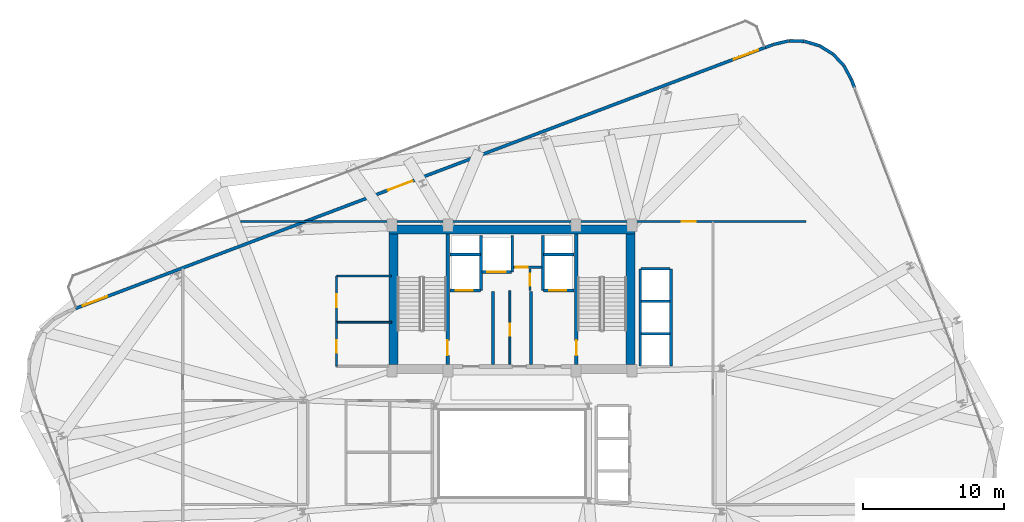
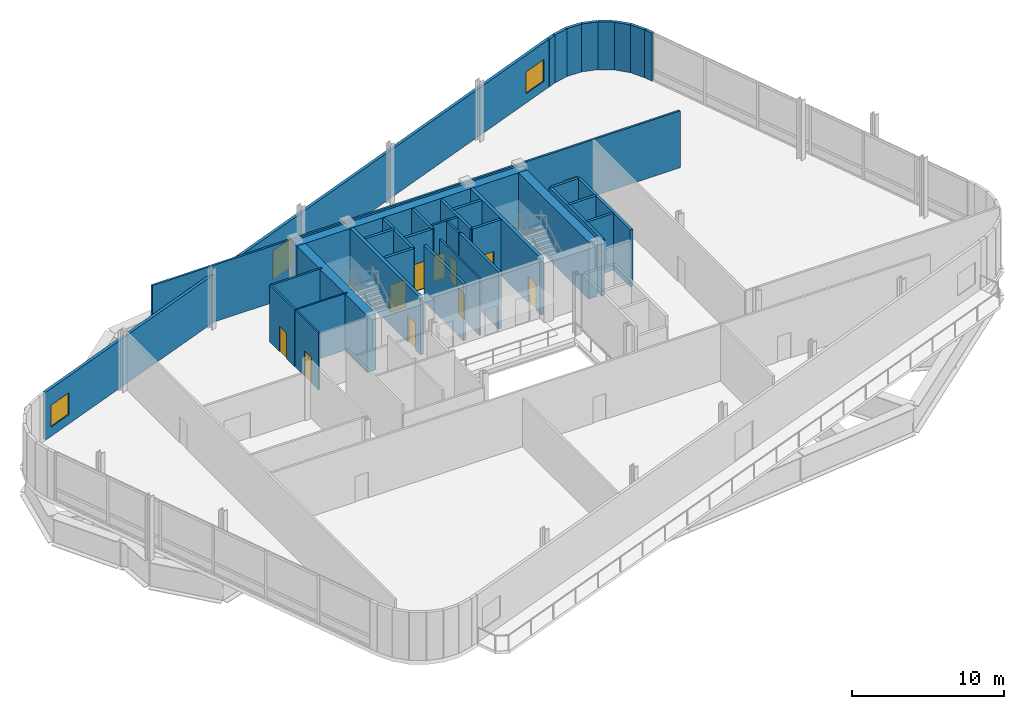
# One storey, part 14 of 19: 37 walls, 12 doors, 2 windows, 14 openings.
"""IFC4 building model written with IfcOpenShell, lengths in metres."""

from ifc_helpers import new_model, si_unit, direction, frame, frame_2d, origin, place, context, subcontext, project, spatial, rectangle, extrude, material, layer, layer_set, type_object, element, fill, save


model = new_model("IFC4")

# Units and contexts
model_context = context("Model", 3, precision=1e-05, world=origin(), true_north=direction((0.0, 1.0)))
body_context = subcontext(model_context, "Body", "Model", "MODEL_VIEW")
ifc_project = project(units=[si_unit("LENGTHUNIT", "METRE"), si_unit("AREAUNIT", "SQUARE_METRE"), si_unit("VOLUMEUNIT", "CUBIC_METRE"), si_unit("PLANEANGLEUNIT", "RADIAN"), si_unit("MASSUNIT", "GRAM", prefix="KILO")], contexts=[model_context])

# Site, building, storey
site_placement = place(None, origin())
site = spatial("IfcSite", under=ifc_project, at=site_placement, CompositionType="ELEMENT")
building_placement = place(site_placement, origin())
building = spatial("IfcBuilding", under=site, at=building_placement, Name="Varnelok Gate Tower", CompositionType="ELEMENT")
storey_placement = place(building_placement, frame((0.0, 0.0, 207.89990234375)))
storey = spatial("IfcBuildingStorey", under=building, at=storey_placement, Name="L53", CompositionType="ELEMENT", Elevation=207.89990234375)

# Wall, openings, door, windows
ifc_material_1 = material(Name="Concrete C45/55", Category="concrete")
ifc_layer_1 = layer(ifc_material_1, 0.219970703125)
ifc_layer_set_1 = layer_set([ifc_layer_1], Name="Concrete C45/55")
wall_type_1 = type_object("IfcWallType", Name="EW-BALC-220", PredefinedType="SOLIDWALL", material=ifc_layer_set_1)
wall_1_placement = place(storey_placement, frame((8.31494140625, 33.164306640625, 0.0), z_axis=(0.0, 0.0, 1.0), x_axis=(0.935222646765, 0.354060165759, 0.0)))
wall_1 = element("IfcWall", 1, at=wall_1_placement, inside=storey, type_object=wall_type_1, Name="L53 North Terrace Envelope Wall 2", PredefinedType="SOLIDWALL", context=body_context, shape_type="SweptSolid", body=[
    extrude(rectangle(XDim=52.199951171875, YDim=0.219970703125, at=frame_2d((26.10009765625, 0.0))), origin(), (0.0, 0.0, 1.0), 3.830078125),
])
opening_1_placement = place(wall_1_placement, frame((23.640380859375, 0.0, 0.0)))
opening_1 = element("IfcOpeningElement", 2, at=opening_1_placement, cuts=wall_1, Name="Opening SGD-1", PredefinedType="OPENING", context=body_context, shape_type="SweptSolid", body=[
    extrude(rectangle(XDim=1.85009765625, YDim=2.300048828125, at=frame_2d((0.925048828125, 1.14990234375))), frame((0.0, 0.119873046875, 0.0), z_axis=(0.0, -1.0, 0.0), x_axis=(1.0, 0.0, 0.0)), (0.0, 0.0, 1.0), 0.239990234375),
])
opening_2_placement = place(wall_1_placement, frame((0.550048828125, 0.0, 0.75)))
opening_2 = element("IfcOpeningElement", 3, at=opening_2_placement, cuts=wall_1, Name="Opening WN5", PredefinedType="OPENING", context=body_context, shape_type="SweptSolid", body=[
    extrude(rectangle(XDim=1.85009765625, YDim=1.75, at=frame_2d((0.925048828125, 0.875))), frame((0.0, 0.119873046875, 0.0), z_axis=(0.0, -1.0, 0.0), x_axis=(1.0, 0.0, 0.0)), (0.0, 0.0, 1.0), 0.239990234375),
])
opening_3_placement = place(wall_1_placement, frame((49.800048828125, 0.0, 0.75)))
opening_3 = element("IfcOpeningElement", 4, at=opening_3_placement, cuts=wall_1, Name="Opening WN5", PredefinedType="OPENING", context=body_context, shape_type="SweptSolid", body=[
    extrude(rectangle(XDim=1.85009765625, YDim=1.75, at=frame_2d((0.925048828125, 0.875))), frame((0.0, 0.119873046875, 0.0), z_axis=(0.0, -1.0, 0.0), x_axis=(1.0, 0.0, 0.0)), (0.0, 0.0, 1.0), 0.239990234375),
])
ifc_material_2 = material(Name="Anodized Aluminum Alloy 6063-T6", Category="aluminium")
door_type_1 = type_object("IfcDoorType", Name="DR-EXT-SKYG1850", OperationType="DOUBLE_DOOR_SINGLE_SWING", PredefinedType="DOOR", material=ifc_material_2)
door_1_placement = place(opening_1_placement, origin())
door_1 = element("IfcDoor", 5, at=door_1_placement, inside=storey, type_object=door_type_1, Name="L53 North Sky Garden Glazed Door 2", OperationType="DOUBLE_DOOR_SINGLE_SWING", OverallHeight=2.300048828125, OverallWidth=1.85009765625, PredefinedType="DOOR", context=body_context, shape_type="SweptSolid", body=[
    extrude(rectangle(XDim=1.85009765625, YDim=2.300048828125, at=frame_2d((0.925048828125, 1.14990234375))), frame((0.0, 0.02490234375, 0.0), z_axis=(0.0, -1.0, 0.0), x_axis=(1.0, 0.0, 0.0)), (0.0, 0.0, 1.0), 0.050048828125),
])
fill(opening_1, door_1)
ifc_material_3 = material(Name="Low-E Laminated Double Glazing IGU", Category="glass")
window_type = type_object("IfcWindowType", Name="WN-RES-1850", PartitioningType="SINGLE_PANEL", PredefinedType="WINDOW", material=ifc_material_3)
window_1_placement = place(opening_2_placement, origin())
window_1 = element("IfcWindow", 6, at=window_1_placement, inside=storey, type_object=window_type, Name="L53 North Vision Window 2.1", OverallHeight=1.75, OverallWidth=1.85009765625, PartitioningType="SINGLE_PANEL", PredefinedType="WINDOW", context=body_context, shape_type="SweptSolid", body=[
    extrude(rectangle(XDim=1.85009765625, YDim=1.75, at=frame_2d((0.925048828125, 0.875))), frame((0.0, 0.030029296875, 0.0), z_axis=(0.0, -1.0, 0.0), x_axis=(1.0, 0.0, 0.0)), (0.0, 0.0, 1.0), 0.06005859375),
])
fill(opening_2, window_1)
window_2_placement = place(opening_3_placement, origin())
window_2 = element("IfcWindow", 7, at=window_2_placement, inside=storey, type_object=window_type, Name="L53 North Vision Window 2.2", OverallHeight=1.75, OverallWidth=1.85009765625, PartitioningType="SINGLE_PANEL", PredefinedType="WINDOW", context=body_context, shape_type="SweptSolid", body=[
    extrude(rectangle(XDim=1.85009765625, YDim=1.75, at=frame_2d((0.925048828125, 0.875))), frame((0.0, 0.030029296875, 0.0), z_axis=(0.0, -1.0, 0.0), x_axis=(1.0, 0.0, 0.0)), (0.0, 0.0, 1.0), 0.06005859375),
])
fill(opening_3, window_2)

# Walls
wall_2_placement = place(storey_placement, frame((63.432373046875, 48.79150390625, 0.0), z_axis=(0.0, 0.0, 1.0), x_axis=(-0.354409739857, 0.935090228959, 0.0)))
element("IfcWall", 8, at=wall_2_placement, inside=storey, type_object=wall_type_1, Name="L53 Perimeter Facade Closure Wall 16", PredefinedType="SOLIDWALL", context=body_context, shape_type="SweptSolid", body=[
    extrude(rectangle(XDim=0.60205078125, YDim=0.219970703125, at=frame_2d((0.301025390625, 0.0))), origin(), (0.0, 0.0, 1.0), 3.830078125),
])
wall_3_placement = place(storey_placement, frame((63.207275390625, 49.376708984375, 0.0), z_axis=(0.0, 0.0, 1.0), x_axis=(-0.473040490473, 0.881040688262, 0.0)))
element("IfcWall", 9, at=wall_3_placement, inside=storey, type_object=wall_type_1, Name="L53 Perimeter Facade Closure Wall 17", PredefinedType="SOLIDWALL", context=body_context, shape_type="SweptSolid", body=[
    extrude(rectangle(XDim=1.099853515625, YDim=0.219970703125, at=frame_2d((0.5498046875, 0.0))), origin(), (0.0, 0.0, 1.0), 3.830078125),
])
wall_4_placement = place(storey_placement, frame((62.669677734375, 50.364013671875, 0.0), z_axis=(0.0, 0.0, 1.0), x_axis=(-0.685085671623, 0.728462505923, 0.0)))
element("IfcWall", 10, at=wall_4_placement, inside=storey, type_object=wall_type_1, Name="L53 Perimeter Facade Closure Wall 18", PredefinedType="SOLIDWALL", context=body_context, shape_type="SweptSolid", body=[
    extrude(rectangle(XDim=1.091796875, YDim=0.219970703125, at=frame_2d((0.5458984375, 0.0))), origin(), (0.0, 0.0, 1.0), 3.830078125),
])
for number, where, z_axis, x_axis, name in (
    (11, (61.900390625, 51.172607421875, 0.0), (0.0, 0.0, 1.0), (-0.850188908352, 0.526477748927, 0.0), "L53 Perimeter Facade Closure Wall 19"),
    (12, (60.947998046875, 51.7548828125, 0.0), (0.0, 0.0, 1.0), (-0.957573624479, 0.288188746662, 0.0), "L53 Perimeter Facade Closure Wall 20"),
    (13, (59.87744140625, 52.070556640625, 0.0), (0.0, 0.0, 1.0), (-0.999523998125, 0.030850886097, 0.0), "L53 Perimeter Facade Closure Wall 21"),
):
    element("IfcWall", number, at=place(storey_placement, frame(where, z_axis=z_axis, x_axis=x_axis)), inside=storey, type_object=wall_type_1, Name=name, PredefinedType="SOLIDWALL", context=body_context, shape_type="SweptSolid", body=[
        extrude(rectangle(XDim=1.092041015625, YDim=0.219970703125, at=frame_2d((0.5458984375, 0.0))), origin(), (0.0, 0.0, 1.0), 3.830078125),
    ])
wall_5_placement = place(storey_placement, frame((58.76171875, 52.098388671875, 0.0), z_axis=(0.0, 0.0, 1.0), x_axis=(-0.973417168334, -0.229039333726, 0.0)))
element("IfcWall", 14, at=wall_5_placement, inside=storey, type_object=wall_type_1, Name="L53 Perimeter Facade Closure Wall 22", PredefinedType="SOLIDWALL", context=body_context, shape_type="SweptSolid", body=[
    extrude(rectangle(XDim=1.10009765625, YDim=0.219970703125, at=frame_2d((0.550048828125, 0.0))), origin(), (0.0, 0.0, 1.0), 3.830078125),
])
wall_6_placement = place(storey_placement, frame((57.66748046875, 51.837646484375, 0.0), z_axis=(0.0, 0.0, 1.0), x_axis=(-0.935174564531, -0.354187145241, 0.0)))
element("IfcWall", 15, at=wall_6_placement, inside=storey, type_object=wall_type_1, Name="L53 Perimeter Facade Closure Wall 23", PredefinedType="SOLIDWALL", context=body_context, shape_type="SweptSolid", body=[
    extrude(rectangle(XDim=0.5673828125, YDim=0.219970703125, at=frame_2d((0.28369140625, 0.0))), origin(), (0.0, 0.0, 1.0), 3.830078125),
])
ifc_material_4 = material(Name="Gypsum Plasterboard Acoustic Partition", Category="gypsum")
ifc_layer_2 = layer(ifc_material_4, 0.114990234375)
ifc_layer_set_2 = layer_set([ifc_layer_2], Name="Gypsum Plasterboard Acoustic Partition")
wall_type_2 = type_object("IfcWallType", Name="PW-ENS-125", PredefinedType="PARTITIONING", material=ifc_layer_set_2)
wall_7_placement = place(storey_placement, frame((26.800048828125, 32.18994140625, 0.0), z_axis=(0.0, 0.0, 1.0), x_axis=(1.0, 0.0, 0.0)))
element("IfcWall", 16, at=wall_7_placement, inside=storey, type_object=wall_type_2, Name="Interior Partition", PredefinedType="PARTITIONING", context=body_context, shape_type="SweptSolid", body=[
    extrude(rectangle(XDim=3.8798828125, YDim=0.114990234375, at=frame_2d((1.93994140625, 0.0))), origin(), (0.0, 0.0, 1.0), 4.550048828125),
])

# Wall, opening, door
wall_8_placement = place(storey_placement, frame((26.780029296875, 29.080078125, 0.0), z_axis=(0.0, 0.0, 1.0), x_axis=(0.0, 1.0, 0.0)))
wall_8 = element("IfcWall", 17, at=wall_8_placement, inside=storey, type_object=wall_type_2, Name="Interior Partition", PredefinedType="PARTITIONING", context=body_context, shape_type="SweptSolid", body=[
    extrude(rectangle(XDim=3.10986328125, YDim=0.114990234375, at=frame_2d((1.554931640625, 0.0))), origin(), (0.0, 0.0, 1.0), 4.550048828125),
])
opening_4_placement = place(wall_8_placement, frame((0.949951171875, 0.0, 0.0)))
opening_4 = element("IfcOpeningElement", 18, at=opening_4_placement, cuts=wall_8, Name="Opening D-WC", PredefinedType="OPENING", context=body_context, shape_type="SweptSolid", body=[
    extrude(rectangle(XDim=0.89990234375, YDim=2.050048828125, at=frame_2d((0.449951171875, 1.02490234375))), frame((0.0, 0.0673828125, 0.0), z_axis=(0.0, -1.0, 0.0), x_axis=(1.0, 0.0, 0.0)), (0.0, 0.0, 1.0), 0.135009765625),
])
ifc_material_5 = material(Name="Engineered Hardwood Timber", Category="wood")
door_type_2 = type_object("IfcDoorType", Name="DR-BATH-900", OperationType="NOTDEFINED", PredefinedType="DOOR", material=ifc_material_5)
door_2_placement = place(opening_4_placement, origin())
door_2 = element("IfcDoor", 19, at=door_2_placement, inside=storey, type_object=door_type_2, Name="L53 Core Floor WC Door", OperationType="SINGLE_SWING_LEFT", OverallHeight=2.050048828125, OverallWidth=0.89990234375, PredefinedType="DOOR", context=body_context, shape_type="SweptSolid", body=[
    extrude(rectangle(XDim=0.89990234375, YDim=2.050048828125, at=frame_2d((0.449951171875, 1.02490234375))), frame((0.0, 0.02490234375, 0.0), z_axis=(0.0, -1.0, 0.0), x_axis=(1.0, 0.0, 0.0)), (0.0, 0.0, 1.0), 0.050048828125),
])
fill(opening_4, door_2)

ifc_layer_3 = layer(ifc_material_4, 0.125)
ifc_layer_set_3 = layer_set([ifc_layer_3], Name="Gypsum Plasterboard Acoustic Partition")
wall_type_3 = type_object("IfcWallType", Name="PW-PART-125", PredefinedType="PARTITIONING", material=ifc_layer_set_3)
wall_9_placement = place(storey_placement, frame((39.050048828125, 29.199951171875, 0.0), z_axis=(0.0, 0.0, 1.0), x_axis=(0.0, 1.0, 0.0)))
wall_9 = element("IfcWall", 20, at=wall_9_placement, inside=storey, type_object=wall_type_3, Name="Interior Partition", PredefinedType="PARTITIONING", context=body_context, shape_type="SweptSolid", body=[
    extrude(rectangle(XDim=5.219970703125, YDim=0.125, at=frame_2d((2.60986328125, 0.0))), origin(), (0.0, 0.0, 1.0), 4.550048828125),
])
opening_5_placement = place(wall_9_placement, frame((2.050048828125, 0.0, 0.0)))
opening_5 = element("IfcOpeningElement", 21, at=opening_5_placement, cuts=wall_9, Name="Opening D-RS", PredefinedType="OPENING", context=body_context, shape_type="SweptSolid", body=[
    extrude(rectangle(XDim=0.85009765625, YDim=2.050048828125, at=frame_2d((0.425048828125, 1.02490234375))), frame((0.0, 0.072509765625, 0.0), z_axis=(0.0, -1.0, 0.0), x_axis=(1.0, 0.0, 0.0)), (0.0, 0.0, 1.0), 0.14501953125),
])
ifc_material_6 = material(Name="Galvanized Steel Grade S350GD", Category="steel")
door_type_3 = type_object("IfcDoorType", Name="DR-RISER-850", OperationType="NOTDEFINED", PredefinedType="DOOR", material=ifc_material_6)
door_3_placement = place(opening_5_placement, origin())
door_3 = element("IfcDoor", 22, at=door_3_placement, inside=storey, type_object=door_type_3, Name="L53 Housekeeping Linen Door", OperationType="SINGLE_SWING_LEFT", OverallHeight=2.050048828125, OverallWidth=0.85009765625, PredefinedType="DOOR", context=body_context, shape_type="SweptSolid", body=[
    extrude(rectangle(XDim=0.85009765625, YDim=2.050048828125, at=frame_2d((0.425048828125, 1.02490234375))), frame((0.0, 0.02490234375, 0.0), z_axis=(0.0, -1.0, 0.0), x_axis=(1.0, 0.0, 0.0)), (0.0, 0.0, 1.0), 0.050048828125),
])
fill(opening_5, door_3)

ifc_layer_4 = layer(ifc_material_4, 0.14990234375)
ifc_layer_set_4 = layer_set([ifc_layer_4], Name="Gypsum Plasterboard Acoustic Partition")
wall_type_4 = type_object("IfcWallType", Name="PW-PART-150", PredefinedType="PARTITIONING", material=ifc_layer_set_4)
wall_10_placement = place(storey_placement, frame((20.0, 39.320068359375, 0.0), z_axis=(0.0, 0.0, 1.0), x_axis=(1.0, 0.0, 0.0)))
wall_10 = element("IfcWall", 23, at=wall_10_placement, inside=storey, type_object=wall_type_4, Name="Interior Partition", PredefinedType="PARTITIONING", context=body_context, shape_type="SweptSolid", body=[
    extrude(rectangle(XDim=40.0, YDim=0.14990234375, at=frame_2d((20.0, 0.0))), origin(), (0.0, 0.0, 1.0), 4.550048828125),
])
opening_6_placement = place(wall_10_placement, frame((31.199951171875, 0.0, 0.0)))
opening_6 = element("IfcOpeningElement", 24, at=opening_6_placement, cuts=wall_10, Name="Opening D-I1", PredefinedType="OPENING", context=body_context, shape_type="SweptSolid", body=[
    extrude(rectangle(XDim=1.0, YDim=2.050048828125, at=frame_2d((0.5, 1.02490234375))), frame((0.0, 0.0849609375, 0.0), z_axis=(0.0, -1.0, 0.0), x_axis=(1.0, 0.0, 0.0)), (0.0, 0.0, 1.0), 0.169921875),
])
door_type_4 = type_object("IfcDoorType", Name="DR-INT-1000", OperationType="NOTDEFINED", PredefinedType="DOOR", material=ifc_material_5)
door_4_placement = place(opening_6_placement, origin())
door_4 = element("IfcDoor", 25, at=door_4_placement, inside=storey, type_object=door_type_4, Name="L53 North Sky Garden Lounge Door", OperationType="SINGLE_SWING_RIGHT", OverallHeight=2.050048828125, OverallWidth=1.0, PredefinedType="DOOR", context=body_context, shape_type="SweptSolid", body=[
    extrude(rectangle(XDim=1.0, YDim=2.050048828125, at=frame_2d((0.5, 1.02490234375))), frame((0.0, 0.02490234375, 0.0), z_axis=(0.0, -1.0, 0.0), x_axis=(1.0, 0.0, 0.0)), (0.0, 0.0, 1.0), 0.050048828125),
])
fill(opening_6, door_4)

wall_11_placement = place(storey_placement, frame((39.300048828125, 36.080078125, 0.0), z_axis=(0.0, 0.0, 1.0), x_axis=(1.0, 0.0, 0.0)))
wall_11 = element("IfcWall", 26, at=wall_11_placement, inside=storey, type_object=wall_type_4, Name="L53 Electrical Closet South Wall", PredefinedType="PARTITIONING", context=body_context, shape_type="SweptSolid", body=[
    extrude(rectangle(XDim=2.02001953125, YDim=0.14990234375, at=frame_2d((1.010009765625, 0.0))), origin(), (0.0, 0.0, 1.0), 4.550048828125),
])
opening_7_placement = place(wall_11_placement, frame((0.179931640625, 0.0, 0.0)))
opening_7 = element("IfcOpeningElement", 27, at=opening_7_placement, cuts=wall_11, Name="Opening D-RS", PredefinedType="OPENING", context=body_context, shape_type="SweptSolid", body=[
    extrude(rectangle(XDim=0.85009765625, YDim=2.050048828125, at=frame_2d((0.425048828125, 1.02490234375))), frame((0.0, 0.0849609375, 0.0), z_axis=(0.0, -1.0, 0.0), x_axis=(1.0, 0.0, 0.0)), (0.0, 0.0, 1.0), 0.169921875),
])
door_5_placement = place(opening_7_placement, origin())
door_5 = element("IfcDoor", 28, at=door_5_placement, inside=storey, type_object=door_type_3, Name="L53 Electrical Closet Door", OperationType="SINGLE_SWING_RIGHT", OverallHeight=2.050048828125, OverallWidth=0.85009765625, PredefinedType="DOOR", context=body_context, shape_type="SweptSolid", body=[
    extrude(rectangle(XDim=0.85009765625, YDim=2.050048828125, at=frame_2d((0.425048828125, 1.02490234375))), frame((0.0, 0.02490234375, 0.0), z_axis=(0.0, -1.0, 0.0), x_axis=(1.0, 0.0, 0.0)), (0.0, 0.0, 1.0), 0.050048828125),
])
fill(opening_7, door_5)

wall_12_placement = place(storey_placement, frame((40.47998046875, 34.43994140625, 0.0), z_axis=(0.0, 0.0, 1.0), x_axis=(0.0, 1.0, 0.0)))
wall_12 = element("IfcWall", 29, at=wall_12_placement, inside=storey, type_object=wall_type_4, Name="L53 Telecoms Closet West Wall", PredefinedType="PARTITIONING", context=body_context, shape_type="SweptSolid", body=[
    extrude(rectangle(XDim=1.52001953125, YDim=0.14990234375, at=frame_2d((0.760009765625, 0.0))), origin(), (0.0, 0.0, 1.0), 4.550048828125),
])
opening_8_placement = place(wall_12_placement, frame((0.320068359375, 0.0, 0.0)))
opening_8 = element("IfcOpeningElement", 30, at=opening_8_placement, cuts=wall_12, Name="Opening D-RS", PredefinedType="OPENING", context=body_context, shape_type="SweptSolid", body=[
    extrude(rectangle(XDim=0.85009765625, YDim=2.050048828125, at=frame_2d((0.425048828125, 1.02490234375))), frame((0.0, 0.0849609375, 0.0), z_axis=(0.0, -1.0, 0.0), x_axis=(1.0, 0.0, 0.0)), (0.0, 0.0, 1.0), 0.169921875),
])
door_6_placement = place(opening_8_placement, origin())
door_6 = element("IfcDoor", 31, at=door_6_placement, inside=storey, type_object=door_type_3, Name="L53 Telecoms Closet Door", OperationType="SINGLE_SWING_LEFT", OverallHeight=2.050048828125, OverallWidth=0.85009765625, PredefinedType="DOOR", context=body_context, shape_type="SweptSolid", body=[
    extrude(rectangle(XDim=0.85009765625, YDim=2.050048828125, at=frame_2d((0.425048828125, 1.02490234375))), frame((0.0, 0.02490234375, 0.0), z_axis=(0.0, -1.0, 0.0), x_axis=(1.0, 0.0, 0.0)), (0.0, 0.0, 1.0), 0.050048828125),
])
fill(opening_8, door_6)

# Wall
wall_13_placement = place(storey_placement, frame((26.780029296875, 35.4599609375, 0.0), z_axis=(0.0, 0.0, 1.0), x_axis=(1.0, 0.0, 0.0)))
element("IfcWall", 32, at=wall_13_placement, inside=storey, type_object=wall_type_4, Name="Interior Partition", PredefinedType="PARTITIONING", context=body_context, shape_type="SweptSolid", body=[
    extrude(rectangle(XDim=3.89990234375, YDim=0.14990234375, at=frame_2d((1.949951171875, 0.0))), origin(), (0.0, 0.0, 1.0), 4.550048828125),
])

# Wall, opening, door
wall_14_placement = place(storey_placement, frame((26.780029296875, 32.18994140625, 0.0), z_axis=(0.0, 0.0, 1.0), x_axis=(0.0, 1.0, 0.0)))
wall_14 = element("IfcWall", 33, at=wall_14_placement, inside=storey, type_object=wall_type_4, Name="Interior Partition", PredefinedType="PARTITIONING", context=body_context, shape_type="SweptSolid", body=[
    extrude(rectangle(XDim=3.27001953125, YDim=0.14990234375, at=frame_2d((1.635009765625, 0.0))), origin(), (0.0, 0.0, 1.0), 4.550048828125),
])
opening_9_placement = place(wall_14_placement, frame((1.050048828125, 0.0, 0.0)))
opening_9 = element("IfcOpeningElement", 34, at=opening_9_placement, cuts=wall_14, Name="Opening D-I3", PredefinedType="OPENING", context=body_context, shape_type="SweptSolid", body=[
    extrude(rectangle(XDim=0.919921875, YDim=2.050048828125, at=frame_2d((0.4599609375, 1.02490234375))), frame((0.0, 0.0849609375, 0.0), z_axis=(0.0, -1.0, 0.0), x_axis=(1.0, 0.0, 0.0)), (0.0, 0.0, 1.0), 0.169921875),
])
door_type_5 = type_object("IfcDoorType", Name="DR-INT-920", OperationType="NOTDEFINED", PredefinedType="DOOR", material=ifc_material_5)
door_7_placement = place(opening_9_placement, origin())
door_7 = element("IfcDoor", 35, at=door_7_placement, inside=storey, type_object=door_type_5, Name="L53 Core Pantry Door", OperationType="SINGLE_SWING_RIGHT", OverallHeight=2.050048828125, OverallWidth=0.919921875, PredefinedType="DOOR", context=body_context, shape_type="SweptSolid", body=[
    extrude(rectangle(XDim=0.919921875, YDim=2.050048828125, at=frame_2d((0.4599609375, 1.02490234375))), frame((0.0, 0.02490234375, 0.0), z_axis=(0.0, -1.0, 0.0), x_axis=(1.0, 0.0, 0.0)), (0.0, 0.0, 1.0), 0.050048828125),
])
fill(opening_9, door_7)

# Walls
ifc_material_7 = material(Name="Concrete C35/45", Category="concrete")
ifc_layer_5 = layer(ifc_material_7, 0.199951171875)
ifc_layer_set_5 = layer_set([ifc_layer_5], Name="Concrete C35/45")
wall_type_5 = type_object("IfcWallType", Name="PW-SHAFT-200", PredefinedType="PARTITIONING", material=ifc_layer_set_5)
for number, where, z_axis, x_axis, name in (
    (36, (37.860107421875, 29.199951171875, 0.0), (0.0, 0.0, 1.0), (0.0, 1.0, 0.0), "L53 West FF Lobby Rated Wall"),
    (37, (40.5400390625, 29.199951171875, 0.0), (0.0, 0.0, 1.0), (0.0, 1.0, 0.0), "L53 East FF Lobby Rated Wall"),
):
    element("IfcWall", number, at=place(storey_placement, frame(where, z_axis=z_axis, x_axis=x_axis)), inside=storey, type_object=wall_type_5, Name=name, PredefinedType="PARTITIONING", context=body_context, shape_type="SweptSolid", body=[
        extrude(rectangle(XDim=5.179931640625, YDim=0.199951171875, at=frame_2d((2.58984375, 0.0))), origin(), (0.0, 0.0, 1.0), 4.550048828125),
    ])

# Wall, opening, door
wall_15_placement = place(storey_placement, frame((34.800048828125, 34.43994140625, 0.0), z_axis=(0.0, 0.0, 1.0), x_axis=(1.0, 0.0, 0.0)))
wall_15 = element("IfcWall", 38, at=wall_15_placement, inside=storey, type_object=wall_type_5, Name="L53 FF1 Shaft Front Wall", PredefinedType="PARTITIONING", context=body_context, shape_type="SweptSolid", body=[
    extrude(rectangle(XDim=2.179931640625, YDim=0.199951171875, at=frame_2d((1.08984375, 0.0))), origin(), (0.0, 0.0, 1.0), 4.550048828125),
])
opening_10_placement = place(wall_15_placement, frame((0.419921875, 0.0, 0.0)))
opening_10 = element("IfcOpeningElement", 39, at=opening_10_placement, cuts=wall_15, Name="Opening LD-FF1", PredefinedType="OPENING", context=body_context, shape_type="SweptSolid", body=[
    extrude(rectangle(XDim=1.199951171875, YDim=2.199951171875, at=frame_2d((0.60009765625, 1.10009765625))), frame((0.0, 0.10986328125, 0.0), z_axis=(0.0, -1.0, 0.0), x_axis=(1.0, 0.0, 0.0)), (0.0, 0.0, 1.0), 0.219970703125),
])
door_type_6 = type_object("IfcDoorType", Name="DR-LIFT-FF1200", OperationType="SLIDING_TO_LEFT", PredefinedType="DOOR", material=ifc_material_6)
door_8_placement = place(opening_10_placement, origin())
door_8 = element("IfcDoor", 40, at=door_8_placement, inside=storey, type_object=door_type_6, Name="L53 Firefighting Lift Landing Door LD-FF1", OperationType="SLIDING_TO_LEFT", OverallHeight=2.199951171875, OverallWidth=1.199951171875, PredefinedType="DOOR", context=body_context, shape_type="SweptSolid", body=[
    extrude(rectangle(XDim=1.199951171875, YDim=2.199951171875, at=frame_2d((0.60009765625, 1.10009765625))), frame((0.0, 0.02490234375, 0.0), z_axis=(0.0, -1.0, 0.0), x_axis=(1.0, 0.0, 0.0)), (0.0, 0.0, 1.0), 0.050048828125),
])
fill(opening_10, door_8)

# Walls
wall_16_placement = place(storey_placement, frame((34.800048828125, 36.97998046875, 0.0), z_axis=(0.0, 0.0, 1.0), x_axis=(1.0, 0.0, 0.0)))
element("IfcWall", 41, at=wall_16_placement, inside=storey, type_object=wall_type_5, Name="L53 FF1 Shaft North Wall", PredefinedType="PARTITIONING", context=body_context, shape_type="SweptSolid", body=[
    extrude(rectangle(XDim=2.179931640625, YDim=0.199951171875, at=frame_2d((1.08984375, 0.0))), origin(), (0.0, 0.0, 1.0), 4.550048828125),
])
wall_17_placement = place(storey_placement, frame((37.0, 34.43994140625, 0.0), z_axis=(0.0, 0.0, 1.0), x_axis=(0.0, 1.0, 0.0)))
element("IfcWall", 42, at=wall_17_placement, inside=storey, type_object=wall_type_5, Name="L53 FF1 Shaft Side Wall", PredefinedType="PARTITIONING", context=body_context, shape_type="SweptSolid", body=[
    extrude(rectangle(XDim=3.900146484375, YDim=0.199951171875, at=frame_2d((1.9501953125, 0.0))), origin(), (0.0, 0.0, 1.0), 4.550048828125),
])

# Wall, opening, door
wall_18_placement = place(storey_placement, frame((41.419921875, 34.43994140625, 0.0), z_axis=(0.0, 0.0, 1.0), x_axis=(1.0, 0.0, 0.0)))
wall_18 = element("IfcWall", 43, at=wall_18_placement, inside=storey, type_object=wall_type_5, Name="L53 FF2 Shaft Front Wall", PredefinedType="PARTITIONING", context=body_context, shape_type="SweptSolid", body=[
    extrude(rectangle(XDim=2.18017578125, YDim=0.199951171875, at=frame_2d((1.090087890625, 0.0))), origin(), (0.0, 0.0, 1.0), 4.550048828125),
])
opening_11_placement = place(wall_18_placement, frame((0.419921875, 0.0, 0.0)))
opening_11 = element("IfcOpeningElement", 44, at=opening_11_placement, cuts=wall_18, Name="Opening LD-FF2", PredefinedType="OPENING", context=body_context, shape_type="SweptSolid", body=[
    extrude(rectangle(XDim=1.199951171875, YDim=2.199951171875, at=frame_2d((0.60009765625, 1.10009765625))), frame((0.0, 0.10986328125, 0.0), z_axis=(0.0, -1.0, 0.0), x_axis=(1.0, 0.0, 0.0)), (0.0, 0.0, 1.0), 0.219970703125),
])
door_9_placement = place(opening_11_placement, origin())
door_9 = element("IfcDoor", 45, at=door_9_placement, inside=storey, type_object=door_type_6, Name="L53 Firefighting Lift Landing Door LD-FF2", OperationType="SLIDING_TO_LEFT", OverallHeight=2.199951171875, OverallWidth=1.199951171875, PredefinedType="DOOR", context=body_context, shape_type="SweptSolid", body=[
    extrude(rectangle(XDim=1.199951171875, YDim=2.199951171875, at=frame_2d((0.60009765625, 1.10009765625))), frame((0.0, 0.02490234375, 0.0), z_axis=(0.0, -1.0, 0.0), x_axis=(1.0, 0.0, 0.0)), (0.0, 0.0, 1.0), 0.050048828125),
])
fill(opening_11, door_9)

# Walls
wall_19_placement = place(storey_placement, frame((41.419921875, 36.97998046875, 0.0), z_axis=(0.0, 0.0, 1.0), x_axis=(1.0, 0.0, 0.0)))
element("IfcWall", 46, at=wall_19_placement, inside=storey, type_object=wall_type_5, Name="L53 FF2 Shaft North Wall", PredefinedType="PARTITIONING", context=body_context, shape_type="SweptSolid", body=[
    extrude(rectangle(XDim=2.18017578125, YDim=0.199951171875, at=frame_2d((1.090087890625, 0.0))), origin(), (0.0, 0.0, 1.0), 4.550048828125),
])
wall_20_placement = place(storey_placement, frame((41.39990234375, 34.43994140625, 0.0), z_axis=(0.0, 0.0, 1.0), x_axis=(0.0, 1.0, 0.0)))
element("IfcWall", 47, at=wall_20_placement, inside=storey, type_object=wall_type_5, Name="L53 FF2 Shaft Side Wall", PredefinedType="PARTITIONING", context=body_context, shape_type="SweptSolid", body=[
    extrude(rectangle(XDim=3.900146484375, YDim=0.199951171875, at=frame_2d((1.9501953125, 0.0))), origin(), (0.0, 0.0, 1.0), 4.550048828125),
])

# Wall, opening, door
wall_21_placement = place(storey_placement, frame((37.06005859375, 35.75, 0.0), z_axis=(0.0, 0.0, 1.0), x_axis=(1.0, 0.0, 0.0)))
wall_21 = element("IfcWall", 48, at=wall_21_placement, inside=storey, type_object=wall_type_5, Name="L53 SV1 Shaft Front Wall", PredefinedType="PARTITIONING", context=body_context, shape_type="SweptSolid", body=[
    extrude(rectangle(XDim=2.119873046875, YDim=0.199951171875, at=frame_2d((1.06005859375, 0.0))), origin(), (0.0, 0.0, 1.0), 4.550048828125),
])
opening_12_placement = place(wall_21_placement, frame((0.39990234375, 0.0, 0.0)))
opening_12 = element("IfcOpeningElement", 49, at=opening_12_placement, cuts=wall_21, Name="Opening LD-SV1", PredefinedType="OPENING", context=body_context, shape_type="SweptSolid", body=[
    extrude(rectangle(XDim=1.300048828125, YDim=2.199951171875, at=frame_2d((0.64990234375, 1.10009765625))), frame((0.0, 0.10986328125, 0.0), z_axis=(0.0, -1.0, 0.0), x_axis=(1.0, 0.0, 0.0)), (0.0, 0.0, 1.0), 0.219970703125),
])
door_type_7 = type_object("IfcDoorType", Name="DR-LIFT-SV1300", OperationType="SLIDING_TO_LEFT", PredefinedType="DOOR", material=ifc_material_6)
door_10_placement = place(opening_12_placement, origin())
door_10 = element("IfcDoor", 50, at=door_10_placement, inside=storey, type_object=door_type_7, Name="L53 Service Lift Landing Door LD-SV1", OperationType="SLIDING_TO_LEFT", OverallHeight=2.199951171875, OverallWidth=1.300048828125, PredefinedType="DOOR", context=body_context, shape_type="SweptSolid", body=[
    extrude(rectangle(XDim=1.300048828125, YDim=2.199951171875, at=frame_2d((0.64990234375, 1.10009765625))), frame((0.0, 0.02490234375, 0.0), z_axis=(0.0, -1.0, 0.0), x_axis=(1.0, 0.0, 0.0)), (0.0, 0.0, 1.0), 0.050048828125),
])
fill(opening_12, door_10)

# Walls
wall_22_placement = place(storey_placement, frame((39.219970703125, 35.75, 0.0), z_axis=(0.0, 0.0, 1.0), x_axis=(0.0, 1.0, 0.0)))
element("IfcWall", 51, at=wall_22_placement, inside=storey, type_object=wall_type_5, Name="L53 SV1 Shaft East Wall", PredefinedType="PARTITIONING", context=body_context, shape_type="SweptSolid", body=[
    extrude(rectangle(XDim=2.590087890625, YDim=0.199951171875, at=frame_2d((1.294921875, 0.0))), origin(), (0.0, 0.0, 1.0), 4.550048828125),
])
for number, where, z_axis, x_axis, name in (
    (52, (48.320068359375, 31.375, 0.0), (0.0, 0.0, 1.0), (1.0, 0.0, 0.0), "L53 PM1 Divider"),
    (53, (48.320068359375, 33.675048828125, 0.0), (0.0, 0.0, 1.0), (1.0, 0.0, 0.0), "L53 PM2 Divider"),
    (54, (48.320068359375, 35.969970703125, 0.0), (0.0, 0.0, 1.0), (1.0, 0.0, 0.0), "L53 PM Bank North Wall"),
):
    element("IfcWall", number, at=place(storey_placement, frame(where, z_axis=z_axis, x_axis=x_axis)), inside=storey, type_object=wall_type_5, Name=name, PredefinedType="PARTITIONING", context=body_context, shape_type="SweptSolid", body=[
        extrude(rectangle(XDim=2.059814453125, YDim=0.199951171875, at=frame_2d((1.02978515625, 0.0))), origin(), (0.0, 0.0, 1.0), 4.550048828125),
    ])
for number, where, z_axis, x_axis, name in (
    (55, (48.280029296875, 29.080078125, 0.0), (0.0, 0.0, 1.0), (0.0, 1.0, 0.0), "L53 PM Bank Back Wall"),
    (56, (50.43994140625, 29.080078125, 0.0), (0.0, 0.0, 1.0), (0.0, 1.0, 0.0), "L53 PM Bank Front Wall"),
):
    element("IfcWall", number, at=place(storey_placement, frame(where, z_axis=z_axis, x_axis=x_axis)), inside=storey, type_object=wall_type_5, Name=name, PredefinedType="PARTITIONING", context=body_context, shape_type="SweptSolid", body=[
        extrude(rectangle(XDim=6.889892578125, YDim=0.199951171875, at=frame_2d((3.44482421875, 0.0))), origin(), (0.0, 0.0, 1.0), 4.550048828125),
    ])
ifc_material_8 = material(Name="Concrete C60/75", Category="concrete")
ifc_layer_6 = layer(ifc_material_8, 0.64990234375)
ifc_layer_set_6 = layer_set([ifc_layer_6], Name="Concrete C60/75")
wall_type_6 = type_object("IfcWallType", Name="SW-CORE-650", PredefinedType="SHEAR", material=ifc_layer_set_6)
wall_23_placement = place(storey_placement, frame((30.47998046875, 38.7451171875, 0.0), z_axis=(0.0, 0.0, 1.0), x_axis=(1.0, 0.0, 0.0)))
element("IfcWall", 57, at=wall_23_placement, inside=storey, type_object=wall_type_6, Name="L53 Rear Core North Shear Wall", PredefinedType="SHEAR", context=body_context, shape_type="SweptSolid", body=[
    extrude(rectangle(XDim=17.43994140625, YDim=0.64990234375, at=frame_2d((8.719970703125, 0.0))), origin(), (0.0, 0.0, 1.0), 4.550048828125),
])
for number, where, z_axis, x_axis, name in (
    (58, (30.804931640625, 29.199951171875, 0.0), (0.0, 0.0, 1.0), (0.0, 1.0, 0.0), "L53 Rear Core West Shear Wall"),
    (59, (47.594970703125, 29.199951171875, 0.0), (0.0, 0.0, 1.0), (0.0, 1.0, 0.0), "L53 Rear Core East Shear Wall"),
):
    element("IfcWall", number, at=place(storey_placement, frame(where, z_axis=z_axis, x_axis=x_axis)), inside=storey, type_object=wall_type_6, Name=name, PredefinedType="SHEAR", context=body_context, shape_type="SweptSolid", body=[
        extrude(rectangle(XDim=9.219970703125, YDim=0.64990234375, at=frame_2d((4.60986328125, 0.0))), origin(), (0.0, 0.0, 1.0), 4.550048828125),
    ])

# Wall, opening, door
ifc_layer_7 = layer(ifc_material_8, 0.25)
ifc_layer_set_7 = layer_set([ifc_layer_7], Name="Concrete C60/75")
wall_type_7 = type_object("IfcWallType", Name="SW-SHAFT-250", PredefinedType="SHEAR", material=ifc_layer_set_7)
wall_24_placement = place(storey_placement, frame((34.639892578125, 29.199951171875, 0.0), z_axis=(0.0, 0.0, 1.0), x_axis=(0.0, 1.0, 0.0)))
wall_24 = element("IfcWall", 60, at=wall_24_placement, inside=storey, type_object=wall_type_7, Name="L53 Stair ST-1 East Shear Wall", PredefinedType="SHEAR", context=body_context, shape_type="SweptSolid", body=[
    extrude(rectangle(XDim=9.219970703125, YDim=0.25, at=frame_2d((4.60986328125, 0.0))), origin(), (0.0, 0.0, 1.0), 4.550048828125),
])
opening_13_placement = place(wall_24_placement, frame((0.64990234375, 0.0, 0.0)))
opening_13 = element("IfcOpeningElement", 61, at=opening_13_placement, cuts=wall_24, Name="Opening D-ST", PredefinedType="OPENING", context=body_context, shape_type="SweptSolid", body=[
    extrude(rectangle(XDim=1.050048828125, YDim=2.14990234375, at=frame_2d((0.52490234375, 1.074951171875))), frame((0.0, 0.135009765625, 0.0), z_axis=(0.0, -1.0, 0.0), x_axis=(1.0, 0.0, 0.0)), (0.0, 0.0, 1.0), 0.27001953125),
])
door_type_8 = type_object("IfcDoorType", Name="DR-STAIR-1050", OperationType="NOTDEFINED", PredefinedType="DOOR", material=ifc_material_6)
door_11_placement = place(opening_13_placement, origin())
door_11 = element("IfcDoor", 62, at=door_11_placement, inside=storey, type_object=door_type_8, Name="L53 Exit Stair ST-1 Fire Door", OperationType="SINGLE_SWING_LEFT", OverallHeight=2.14990234375, OverallWidth=1.050048828125, PredefinedType="DOOR", context=body_context, shape_type="SweptSolid", body=[
    extrude(rectangle(XDim=1.050048828125, YDim=2.14990234375, at=frame_2d((0.52490234375, 1.074951171875))), frame((0.0, 0.02490234375, 0.0), z_axis=(0.0, -1.0, 0.0), x_axis=(1.0, 0.0, 0.0)), (0.0, 0.0, 1.0), 0.050048828125),
])
fill(opening_13, door_11)

wall_25_placement = place(storey_placement, frame((43.760009765625, 29.199951171875, 0.0), z_axis=(0.0, 0.0, 1.0), x_axis=(0.0, 1.0, 0.0)))
wall_25 = element("IfcWall", 63, at=wall_25_placement, inside=storey, type_object=wall_type_7, Name="L53 Stair ST-2 West Shear Wall", PredefinedType="SHEAR", context=body_context, shape_type="SweptSolid", body=[
    extrude(rectangle(XDim=9.219970703125, YDim=0.25, at=frame_2d((4.60986328125, 0.0))), origin(), (0.0, 0.0, 1.0), 4.550048828125),
])
opening_14_placement = place(wall_25_placement, frame((0.64990234375, 0.0, 0.0)))
opening_14 = element("IfcOpeningElement", 64, at=opening_14_placement, cuts=wall_25, Name="Opening D-ST", PredefinedType="OPENING", context=body_context, shape_type="SweptSolid", body=[
    extrude(rectangle(XDim=1.050048828125, YDim=2.14990234375, at=frame_2d((0.52490234375, 1.074951171875))), frame((0.0, 0.135009765625, 0.0), z_axis=(0.0, -1.0, 0.0), x_axis=(1.0, 0.0, 0.0)), (0.0, 0.0, 1.0), 0.27001953125),
])
door_12_placement = place(opening_14_placement, origin())
door_12 = element("IfcDoor", 65, at=door_12_placement, inside=storey, type_object=door_type_8, Name="L53 Exit Stair ST-2 Fire Door", OperationType="SINGLE_SWING_RIGHT", OverallHeight=2.14990234375, OverallWidth=1.050048828125, PredefinedType="DOOR", context=body_context, shape_type="SweptSolid", body=[
    extrude(rectangle(XDim=1.050048828125, YDim=2.14990234375, at=frame_2d((0.52490234375, 1.074951171875))), frame((0.0, 0.02490234375, 0.0), z_axis=(0.0, -1.0, 0.0), x_axis=(1.0, 0.0, 0.0)), (0.0, 0.0, 1.0), 0.050048828125),
])
fill(opening_14, door_12)

save(model, "model.ifc")
